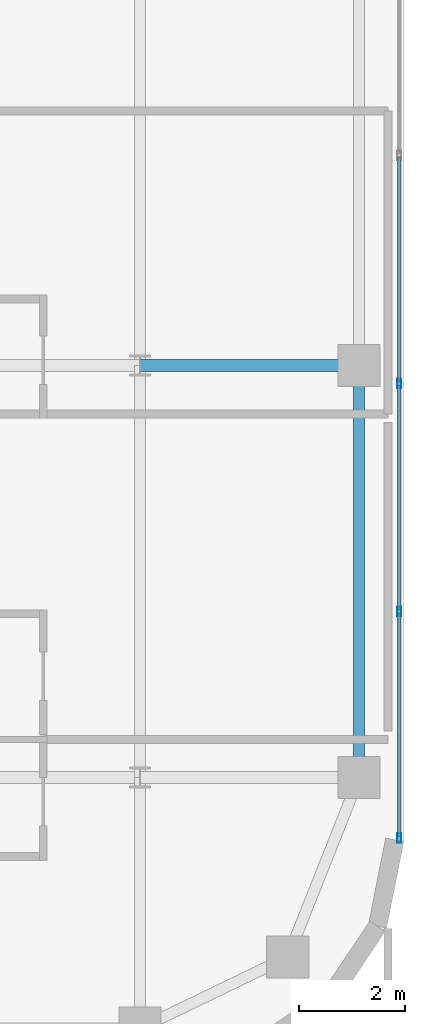
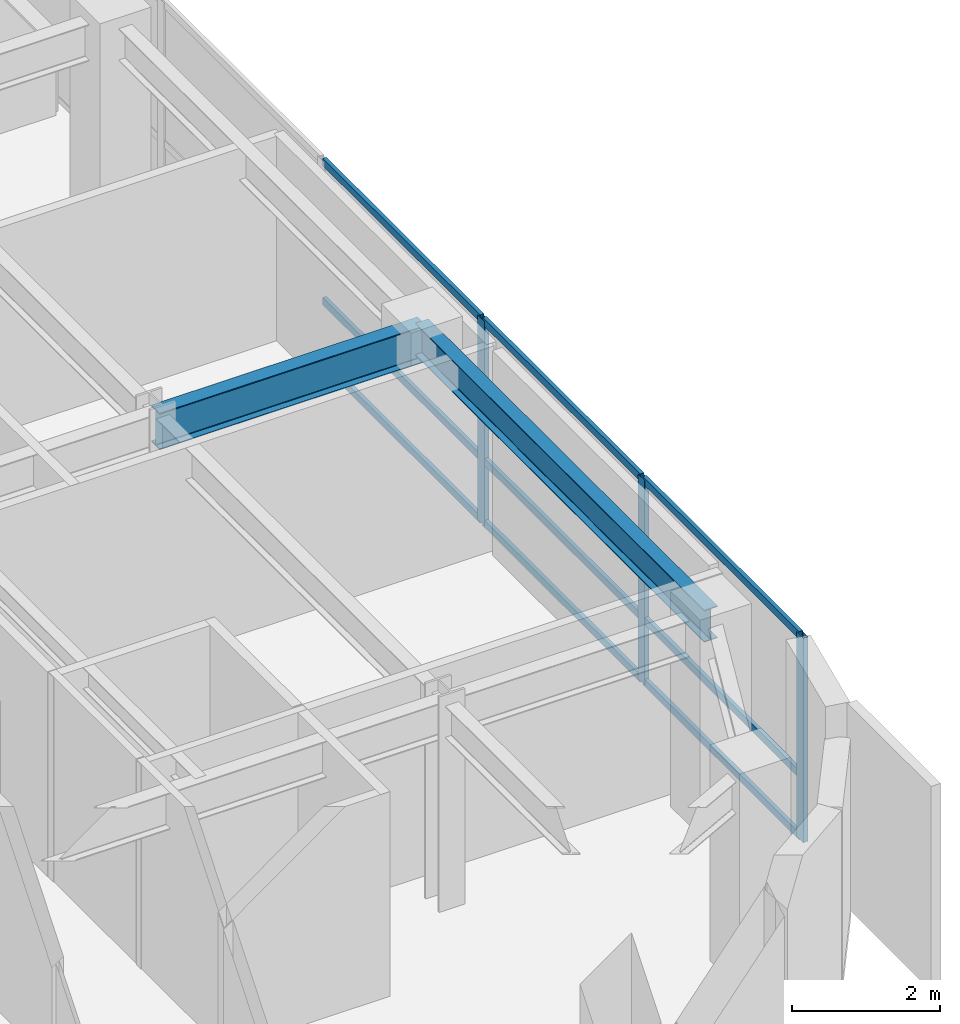
# One storey, part 6 of 20: 12 members, 2 beams, 1 element without a shape of its own.
"""IFC4 building model written with IfcOpenShell, lengths in metres."""

from ifc_helpers import new_model, si_unit, direction, frame, origin, origin_2d, place, context, subcontext, project, spatial, hollow_rectangle, i_section, extrude, source, transform, mapped, material, layer, layer_set, material_profile, profile_set, type_object, type_shapes, element, aggregate, save


model = new_model("IFC4")

# Units and contexts
model_context = context("Model", 3, precision=1e-05, world=origin(), true_north=direction((0.0, 1.0)))
body_context = subcontext(model_context, "Body", "Model", "MODEL_VIEW")
ifc_project = project(units=[si_unit("LENGTHUNIT", "METRE"), si_unit("AREAUNIT", "SQUARE_METRE"), si_unit("VOLUMEUNIT", "CUBIC_METRE"), si_unit("PLANEANGLEUNIT", "RADIAN"), si_unit("MASSUNIT", "GRAM", prefix="KILO")], contexts=[model_context])

# Site, building, storey
site_placement = place(None, origin())
site = spatial("IfcSite", under=ifc_project, at=site_placement, CompositionType="ELEMENT")
building_placement = place(site_placement, origin())
building = spatial("IfcBuilding", under=site, at=building_placement, Name="Tolvann Quenvar Hotel", CompositionType="ELEMENT")
storey_placement = place(building_placement, frame((0.0, 0.0, 171.89990234375)))
storey = spatial("IfcBuildingStorey", under=building, at=storey_placement, Name="L45", CompositionType="ELEMENT", Elevation=171.89990234375)

# Beams
ifc_material_1 = material(Name="Steel Grade 350", Category="steel")
ifc_material_profile_1 = material_profile(ifc_material_1, i_section(OverallWidth=0.208984375, OverallDepth=0.528076171875, WebThickness=0.009521484375, FlangeThickness=0.01318359375, FilletRadius=0.013916015625, at=origin_2d()), Name="530UB82")
ifc_profile_set_1 = profile_set([ifc_material_profile_1], Name="Steel Grade 350")
beam_type_1 = type_object("IfcBeamType", Name="BM_SPAND_530UB82", PredefinedType="SPANDREL", material=ifc_profile_set_1)
shared_shape_1 = source(origin(), body_context, "Body", "SweptSolid", [
    extrude(i_section(OverallWidth=0.208984375, OverallDepth=0.528076171875, WebThickness=0.009521484375, FlangeThickness=0.01318359375, FilletRadius=0.013916015625, at=origin_2d()), origin(), (0.0, 0.0, 1.0), 7.800048828125),
])
type_shapes(beam_type_1, [shared_shape_1])
beam_1_placement = place(storey_placement, frame((53.550048828125, 8.199951171875, 3.106201171875), z_axis=(0.0, 1.0, 0.0), x_axis=(-1.0, 0.0, 0.0)))
element("IfcBeam", 1, at=beam_1_placement, inside=storey, type_object=beam_type_1, Name="BM-L45-NS-J3-J4", PredefinedType="SPANDREL", context=body_context, shape_type="MappedRepresentation", body=[
    mapped(shared_shape_1, transform((0.0, 0.0, 0.0), x_axis=(1.0, 0.0, 0.0), y_axis=(0.0, 1.0, 0.0), z_axis=(0.0, 0.0, 1.0), scale=1.0)),
])
ifc_material_profile_2 = material_profile(ifc_material_1, i_section(OverallWidth=0.22802734375, OverallDepth=0.60205078125, WebThickness=0.010498046875, FlangeThickness=0.014892578125, FilletRadius=0.013916015625, at=origin_2d()), Name="610UB101")
ifc_profile_set_2 = profile_set([ifc_material_profile_2], Name="Steel Grade 350")
beam_type_2 = type_object("IfcBeamType", Name="BM_GIRD_610UB101", PredefinedType="BEAM", material=ifc_profile_set_2)
shared_shape_2 = source(origin(), body_context, "Body", "SweptSolid", [
    extrude(i_section(OverallWidth=0.22802734375, OverallDepth=0.60205078125, WebThickness=0.010498046875, FlangeThickness=0.014892578125, FilletRadius=0.013916015625, at=origin_2d()), origin(), (0.0, 0.0, 1.0), 4.150146484375),
])
type_shapes(beam_type_2, [shared_shape_2])
beam_2_placement = place(storey_placement, frame((49.39990234375, 16.0, 3.069091796875), z_axis=(1.0, 0.0, 0.0), x_axis=(0.0, 1.0, 0.0)))
element("IfcBeam", 2, at=beam_2_placement, inside=storey, type_object=beam_type_2, Name="BM-L45-EW-4-I4-J4", PredefinedType="BEAM", context=body_context, shape_type="MappedRepresentation", body=[
    mapped(shared_shape_2, transform((0.0, 0.0, 0.0), x_axis=(1.0, 0.0, 0.0), y_axis=(0.0, 1.0, 0.0), z_axis=(0.0, 0.0, 1.0), scale=1.0)),
])

# Curtain wall, members
ifc_material_2 = material(Name="Thermally broken anodised architectural aluminium 6063-T6 and laminated low-E glass", Category="aluminium")
ifc_layer = layer(ifc_material_2, 0.179931640625)
ifc_layer_set = layer_set([ifc_layer], Name="Thermally broken anodised architectural aluminium 6063-T6 and laminated low-E glass")
curtain_wall_type = type_object("IfcCurtainWallType", Name="CW_SYS_BAND_04", PredefinedType="USERDEFINED", material=ifc_layer_set)
curtain_wall_placement = place(storey_placement, origin())
curtain_wall = element("IfcCurtainWall", 3, at=curtain_wall_placement, inside=storey, type_object=curtain_wall_type, Name="Curtain Wall CW-BAND-04 (CWR-L45-E13)", ObjectType="UNITISED CURTAIN WALL", PredefinedType="USERDEFINED")
ifc_material_3 = material(Name="Anodised architectural aluminium 6063-T6 framing", Category="aluminium")
ifc_material_profile_3 = material_profile(ifc_material_3, hollow_rectangle(XDim=0.070068359375, YDim=0.179931640625, WallThickness=0.00390625, at=origin_2d()), Name="180x70x4RHS")
ifc_profile_set_3 = profile_set([ifc_material_profile_3], Name="Anodised architectural aluminium 6063-T6 framing")
member_type_1 = type_object("IfcMemberType", Name="CW_MULL_180x70", PredefinedType="MULLION", material=ifc_profile_set_3)
shared_shape_3 = source(origin(), body_context, "Body", "SweptSolid", [
    extrude(hollow_rectangle(XDim=0.070068359375, YDim=0.179931640625, WallThickness=0.00390625, at=origin_2d()), origin(), (0.0, 0.0, 1.0), 3.3701171875),
])
type_shapes(member_type_1, [shared_shape_3])
member_1_placement = place(storey_placement, frame((54.31005859375, 7.05224609375, 0.0), z_axis=(0.0, 0.0, 1.0), x_axis=(-1.0, 0.0, 0.0)))
member_1 = element("IfcMember", 4, at=member_1_placement, type_object=member_type_1, Name="CW-BAND-04 mullion 1", PredefinedType="MULLION", context=body_context, shape_type="MappedRepresentation", body=[
    mapped(shared_shape_3, transform((0.0, 0.0, 0.0), x_axis=(1.0, 0.0, 0.0), y_axis=(0.0, 1.0, 0.0), z_axis=(0.0, 0.0, 1.0), scale=1.0)),
])
member_2_placement = place(storey_placement, frame((54.31005859375, 11.337890625, 0.0), z_axis=(0.0, 0.0, 1.0), x_axis=(-1.0, 0.0, 0.0)))
member_2 = element("IfcMember", 5, at=member_2_placement, type_object=member_type_1, Name="CW-BAND-04 mullion 2", PredefinedType="MULLION", context=body_context, shape_type="MappedRepresentation", body=[
    mapped(shared_shape_3, transform((0.0, 0.0, 0.0), x_axis=(1.0, 0.0, 0.0), y_axis=(0.0, 1.0, 0.0), z_axis=(0.0, 0.0, 1.0), scale=1.0)),
])
member_3_placement = place(storey_placement, frame((54.31005859375, 15.65869140625, 0.0), z_axis=(0.0, 0.0, 1.0), x_axis=(-1.0, 0.0, 0.0)))
member_3 = element("IfcMember", 6, at=member_3_placement, type_object=member_type_1, Name="CW-BAND-04 mullion 3", PredefinedType="MULLION", context=body_context, shape_type="MappedRepresentation", body=[
    mapped(shared_shape_3, transform((0.0, 0.0, 0.0), x_axis=(1.0, 0.0, 0.0), y_axis=(0.0, 1.0, 0.0), z_axis=(0.0, 0.0, 1.0), scale=1.0)),
])
ifc_material_profile_4 = material_profile(ifc_material_3, hollow_rectangle(XDim=0.06005859375, YDim=0.1201171875, WallThickness=0.00341796875, at=origin_2d()), Name="120x60x3.5RHS")
ifc_profile_set_4 = profile_set([ifc_material_profile_4], Name="Anodised architectural aluminium 6063-T6 framing")
member_type_2 = type_object("IfcMemberType", Name="CW_TRAN_120x60", PredefinedType="USERDEFINED", material=ifc_profile_set_4)
shared_shape_4 = source(origin(), body_context, "Body", "SweptSolid", [
    extrude(hollow_rectangle(XDim=0.06005859375, YDim=0.1201171875, WallThickness=0.00341796875, at=origin_2d()), origin(), (0.0, 0.0, 1.0), 4.250732421875),
])
member_4_placement = place(storey_placement, frame((54.31005859375, 11.372802734375, 0.030029296875), z_axis=(0.0, 1.0, 0.0), x_axis=(-1.0, 0.0, 0.0)))
member_4 = element("IfcMember", 7, at=member_4_placement, type_object=member_type_2, Name="CW-BAND-04 transom 2.1", ObjectType="TRANSOM", PredefinedType="USERDEFINED", context=body_context, shape_type="MappedRepresentation", body=[
    mapped(shared_shape_4, transform((0.0, 0.0, 0.0), x_axis=(1.0, 0.0, 0.0), y_axis=(0.0, 1.0, 0.0), z_axis=(0.0, 0.0, 1.0), scale=1.0)),
])
member_5_placement = place(storey_placement, frame((54.31005859375, 11.372802734375, 1.050048828125), z_axis=(0.0, 1.0, 0.0), x_axis=(-1.0, 0.0, 0.0)))
member_5 = element("IfcMember", 8, at=member_5_placement, type_object=member_type_2, Name="CW-BAND-04 transom 2.2", ObjectType="TRANSOM", PredefinedType="USERDEFINED", context=body_context, shape_type="MappedRepresentation", body=[
    mapped(shared_shape_4, transform((0.0, 0.0, 0.0), x_axis=(1.0, 0.0, 0.0), y_axis=(0.0, 1.0, 0.0), z_axis=(0.0, 0.0, 1.0), scale=1.0)),
])
member_6_placement = place(storey_placement, frame((54.31005859375, 11.372802734375, 3.340087890625), z_axis=(0.0, 1.0, 0.0), x_axis=(-1.0, 0.0, 0.0)))
member_6 = element("IfcMember", 9, at=member_6_placement, type_object=member_type_2, Name="CW-BAND-04 transom 2.3", ObjectType="TRANSOM", PredefinedType="USERDEFINED", context=body_context, shape_type="MappedRepresentation", body=[
    mapped(shared_shape_4, transform((0.0, 0.0, 0.0), x_axis=(1.0, 0.0, 0.0), y_axis=(0.0, 1.0, 0.0), z_axis=(0.0, 0.0, 1.0), scale=1.0)),
])
member_7_placement = place(storey_placement, frame((54.31005859375, 15.693603515625, 0.030029296875), z_axis=(0.0, 1.0, 0.0), x_axis=(-1.0, 0.0, 0.0)))
member_7 = element("IfcMember", 10, at=member_7_placement, type_object=member_type_2, Name="CW-BAND-04 transom 3.1", ObjectType="TRANSOM", PredefinedType="USERDEFINED", context=body_context, shape_type="MappedRepresentation", body=[
    mapped(shared_shape_4, transform((0.0, 0.0, 0.0), x_axis=(1.0, 0.0, 0.0), y_axis=(0.0, 1.0, 0.0), z_axis=(0.0, 0.0, 1.0), scale=1.0)),
])
member_8_placement = place(storey_placement, frame((54.31005859375, 15.693603515625, 1.050048828125), z_axis=(0.0, 1.0, 0.0), x_axis=(-1.0, 0.0, 0.0)))
member_8 = element("IfcMember", 11, at=member_8_placement, type_object=member_type_2, Name="CW-BAND-04 transom 3.2", ObjectType="TRANSOM", PredefinedType="USERDEFINED", context=body_context, shape_type="MappedRepresentation", body=[
    mapped(shared_shape_4, transform((0.0, 0.0, 0.0), x_axis=(1.0, 0.0, 0.0), y_axis=(0.0, 1.0, 0.0), z_axis=(0.0, 0.0, 1.0), scale=1.0)),
])
member_9_placement = place(storey_placement, frame((54.31005859375, 15.693603515625, 3.340087890625), z_axis=(0.0, 1.0, 0.0), x_axis=(-1.0, 0.0, 0.0)))
member_9 = element("IfcMember", 12, at=member_9_placement, type_object=member_type_2, Name="CW-BAND-04 transom 3.3", ObjectType="TRANSOM", PredefinedType="USERDEFINED", context=body_context, shape_type="MappedRepresentation", body=[
    mapped(shared_shape_4, transform((0.0, 0.0, 0.0), x_axis=(1.0, 0.0, 0.0), y_axis=(0.0, 1.0, 0.0), z_axis=(0.0, 0.0, 1.0), scale=1.0)),
])
shared_shape_5 = source(origin(), body_context, "Body", "SweptSolid", [
    extrude(hollow_rectangle(XDim=0.06005859375, YDim=0.1201171875, WallThickness=0.00341796875, at=origin_2d()), origin(), (0.0, 0.0, 1.0), 4.2158203125),
])
type_shapes(member_type_2, [shared_shape_4, shared_shape_5])
member_10_placement = place(storey_placement, frame((54.31005859375, 7.087158203125, 0.030029296875), z_axis=(0.0, 1.0, 0.0), x_axis=(-1.0, 0.0, 0.0)))
member_10 = element("IfcMember", 13, at=member_10_placement, type_object=member_type_2, Name="CW-BAND-04 transom 1.1", ObjectType="TRANSOM", PredefinedType="USERDEFINED", context=body_context, shape_type="MappedRepresentation", body=[
    mapped(shared_shape_5, transform((0.0, 0.0, 0.0), x_axis=(1.0, 0.0, 0.0), y_axis=(0.0, 1.0, 0.0), z_axis=(0.0, 0.0, 1.0), scale=1.0)),
])
member_11_placement = place(storey_placement, frame((54.31005859375, 7.087158203125, 1.050048828125), z_axis=(0.0, 1.0, 0.0), x_axis=(-1.0, 0.0, 0.0)))
member_11 = element("IfcMember", 14, at=member_11_placement, type_object=member_type_2, Name="CW-BAND-04 transom 1.2", ObjectType="TRANSOM", PredefinedType="USERDEFINED", context=body_context, shape_type="MappedRepresentation", body=[
    mapped(shared_shape_5, transform((0.0, 0.0, 0.0), x_axis=(1.0, 0.0, 0.0), y_axis=(0.0, 1.0, 0.0), z_axis=(0.0, 0.0, 1.0), scale=1.0)),
])
member_12_placement = place(storey_placement, frame((54.31005859375, 7.087158203125, 3.340087890625), z_axis=(0.0, 1.0, 0.0), x_axis=(-1.0, 0.0, 0.0)))
member_12 = element("IfcMember", 15, at=member_12_placement, type_object=member_type_2, Name="CW-BAND-04 transom 1.3", ObjectType="TRANSOM", PredefinedType="USERDEFINED", context=body_context, shape_type="MappedRepresentation", body=[
    mapped(shared_shape_5, transform((0.0, 0.0, 0.0), x_axis=(1.0, 0.0, 0.0), y_axis=(0.0, 1.0, 0.0), z_axis=(0.0, 0.0, 1.0), scale=1.0)),
])
aggregate(curtain_wall, [member_1, member_2, member_3, member_10, member_11, member_12, member_4, member_5, member_6, member_7, member_8, member_9])

save(model, "model.ifc")
